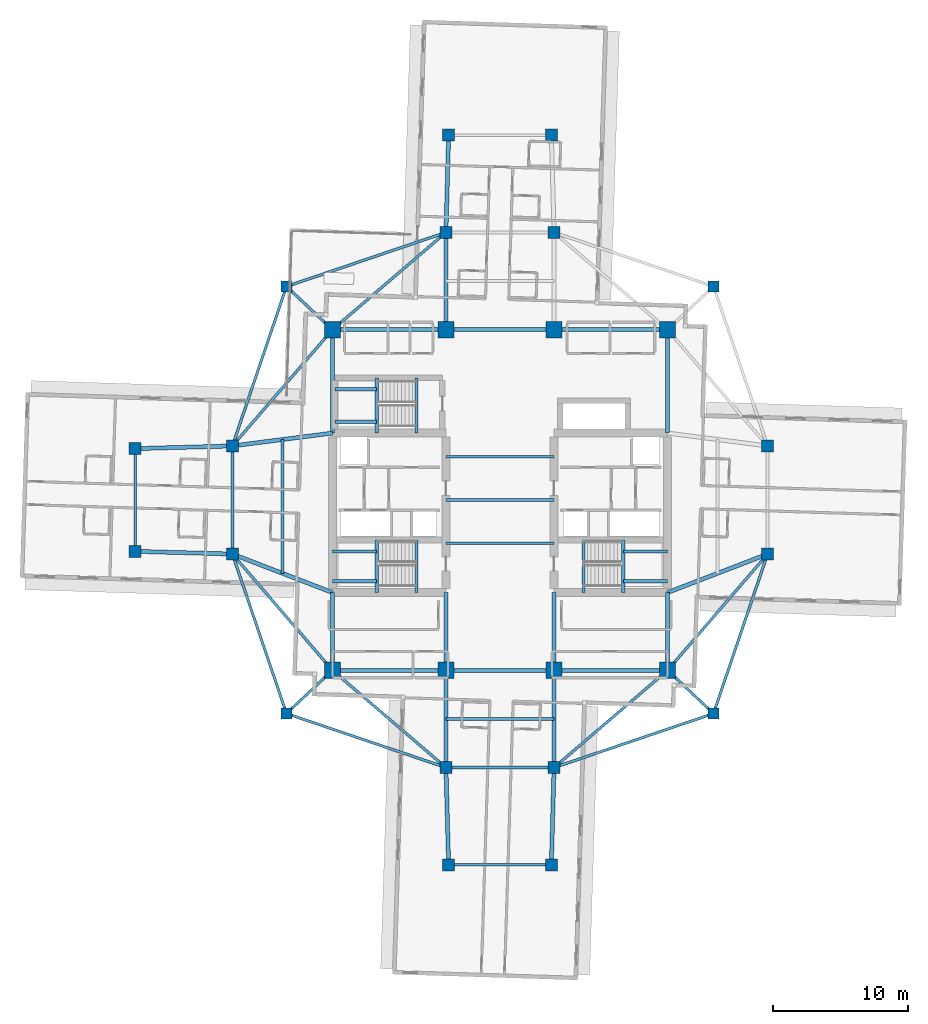
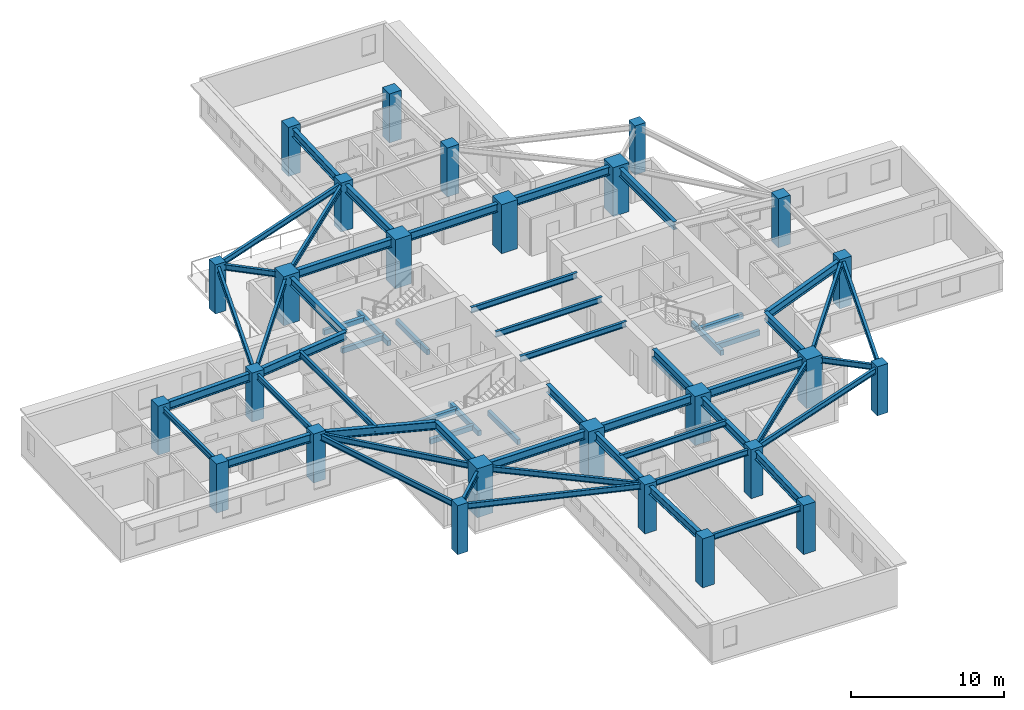
# One storey, part 1 of 13: 59 beams, 26 columns.
"""IFC4 building model written with IfcOpenShell, lengths in metres."""

from ifc_helpers import new_model, si_unit, direction, frame, origin, origin_2d, place, context, subcontext, project, spatial, rectangle, i_section, extrude, material, material_profile, profile_set, type_object, element, save


model = new_model("IFC4")

# Units and contexts
model_context = context("Model", 3, precision=1e-05, world=origin(), true_north=direction((0.0, 1.0)))
body_context = subcontext(model_context, "Body", "Model", "MODEL_VIEW")
ifc_project = project(units=[si_unit("LENGTHUNIT", "METRE"), si_unit("AREAUNIT", "SQUARE_METRE"), si_unit("VOLUMEUNIT", "CUBIC_METRE"), si_unit("PLANEANGLEUNIT", "RADIAN"), si_unit("MASSUNIT", "GRAM", prefix="KILO")], contexts=[model_context])

# Site, building, storey
site_placement = place(None, origin())
site = spatial("IfcSite", under=ifc_project, at=site_placement, CompositionType="ELEMENT")
building_placement = place(site_placement, origin())
building = spatial("IfcBuilding", under=site, at=building_placement, Name="Qingluan Cross Belvedere", CompositionType="ELEMENT")
storey_placement = place(building_placement, frame((0.0, 0.0, 152.699951171875)))
storey = spatial("IfcBuildingStorey", under=building, at=storey_placement, Name="L38", CompositionType="ELEMENT", Elevation=152.699951171875)

# Columns
ifc_material_1 = material(Name="Concrete C60", Category="concrete")
ifc_material_profile_1 = material_profile(ifc_material_1, rectangle(XDim=1.199951171875, YDim=1.199951171875, at=origin_2d()), Name="RC1200x1200")
ifc_profile_set_1 = profile_set([ifc_material_profile_1], Name="Concrete C60")
column_type_1 = type_object("IfcColumnType", Name="Column_RC1200x1200", PredefinedType="COLUMN", material=ifc_profile_set_1)
for number, where, z_axis, x_axis, name in (
    (1, (-12.39990234375, -12.60009765625, 0.0), (0.0, 0.0, 1.0), (1.0, 0.0, 0.0), "Hub column L38-HC1"),
    (2, (12.39990234375, -12.60009765625, 0.0), (0.0, 0.0, 1.0), (1.0, 0.0, 0.0), "Hub column L38-HC2"),
    (3, (12.39990234375, 12.60009765625, 0.0), (0.0, 0.0, 1.0), (1.0, 0.0, 0.0), "Hub column L38-HC3"),
    (4, (-12.39990234375, 12.60009765625, 0.0), (0.0, 0.0, 1.0), (1.0, 0.0, 0.0), "Hub column L38-HC4"),
    (5, (-4.0, -12.60009765625, 0.0), (0.0, 0.0, 1.0), (1.0, 0.0, 0.0), "Hub column L38-HC5"),
    (6, (4.0, -12.60009765625, 0.0), (0.0, 0.0, 1.0), (1.0, 0.0, 0.0), "Hub column L38-HC6"),
    (7, (4.0, 12.60009765625, 0.0), (0.0, 0.0, 1.0), (1.0, 0.0, 0.0), "Hub column L38-HC7"),
    (8, (-4.0, 12.60009765625, 0.0), (0.0, 0.0, 1.0), (1.0, 0.0, 0.0), "Hub column L38-HC8"),
):
    element("IfcColumn", number, at=place(storey_placement, frame(where, z_axis=z_axis, x_axis=x_axis)), inside=storey, type_object=column_type_1, Name=name, PredefinedType="COLUMN", context=body_context, shape_type="SweptSolid", body=[
        extrude(rectangle(XDim=1.199951171875, YDim=1.199951171875, at=origin_2d()), origin(), (0.0, 0.0, 1.0), 3.900146484375),
    ])
ifc_material_2 = material(Name="Concrete C50", Category="concrete")
ifc_material_profile_2 = material_profile(ifc_material_2, rectangle(XDim=0.800048828125, YDim=0.800048828125, at=origin_2d()), Name="RC800x800")
ifc_profile_set_2 = profile_set([ifc_material_profile_2], Name="Concrete C50")
column_type_2 = type_object("IfcColumnType", Name="Column_RC800x800", PredefinedType="COLUMN", material=ifc_profile_set_2)
for number, where, z_axis, x_axis, name in (
    (9, (15.800048828125, 15.800048828125, 0.0), (0.0, 0.0, 1.0), (1.0, 0.0, 0.0), "Corner column L38-RNE"),
    (10, (-15.800048828125, 15.800048828125, 0.0), (0.0, 0.0, 1.0), (1.0, 0.0, 0.0), "Corner column L38-RNW"),
    (11, (-15.800048828125, -15.800048828125, 0.0), (0.0, 0.0, 1.0), (1.0, 0.0, 0.0), "Corner column L38-RSW"),
    (12, (15.800048828125, -15.800048828125, 0.0), (0.0, 0.0, 1.0), (1.0, 0.0, 0.0), "Corner column L38-RSE"),
):
    element("IfcColumn", number, at=place(storey_placement, frame(where, z_axis=z_axis, x_axis=x_axis)), inside=storey, type_object=column_type_2, Name=name, PredefinedType="COLUMN", context=body_context, shape_type="SweptSolid", body=[
        extrude(rectangle(XDim=0.800048828125, YDim=0.800048828125, at=origin_2d()), origin(), (0.0, 0.0, 1.0), 3.900146484375),
    ])
ifc_material_3 = material(Name="Concrete C50", Category="concrete")
ifc_material_profile_3 = material_profile(ifc_material_3, rectangle(XDim=0.89990234375, YDim=0.89990234375, at=origin_2d()), Name="RC900x900")
ifc_profile_set_3 = profile_set([ifc_material_profile_3], Name="Concrete C50")
column_type_3 = type_object("IfcColumnType", Name="Column_RC900x900", PredefinedType="COLUMN", material=ifc_profile_set_3)
for number, where, z_axis, x_axis, name in (
    (13, (19.800048828125, -4.0, 0.0), (0.0, 0.0, 1.0), (1.0, 0.0, 0.0), "Arm column L38-EIA"),
    (14, (19.800048828125, 4.0, 0.0), (0.0, 0.0, 1.0), (1.0, 0.0, 0.0), "Arm column L38-EIB"),
    (15, (-19.800048828125, -4.0, 0.0), (0.0, 0.0, 1.0), (1.0, 0.0, 0.0), "Arm column L38-WIA"),
    (16, (-19.800048828125, 4.0, 0.0), (0.0, 0.0, 1.0), (1.0, 0.0, 0.0), "Arm column L38-WIB"),
    (17, (-4.0, -19.800048828125, 0.0), (0.0, 0.0, 1.0), (1.0, 0.0, 0.0), "Arm column L38-SIA"),
    (18, (4.0, -19.800048828125, 0.0), (0.0, 0.0, 1.0), (1.0, 0.0, 0.0), "Arm column L38-SIB"),
    (19, (-4.0, 19.800048828125, 0.0), (0.0, 0.0, 1.0), (1.0, 0.0, 0.0), "Arm column L38-NIA"),
    (20, (4.0, 19.800048828125, 0.0), (0.0, 0.0, 1.0), (1.0, 0.0, 0.0), "Arm column L38-NIB"),
    (21, (-27.0, -3.800048828125, 0.0), (0.0, 0.0, 1.0), (1.0, 0.0, 0.0), "Arm column L38-WOA"),
    (22, (-27.0, 3.800048828125, 0.0), (0.0, 0.0, 1.0), (1.0, 0.0, 0.0), "Arm column L38-WOB"),
    (23, (-3.800048828125, -27.0, 0.0), (0.0, 0.0, 1.0), (1.0, 0.0, 0.0), "Arm column L38-SOA"),
    (24, (3.800048828125, -27.0, 0.0), (0.0, 0.0, 1.0), (1.0, 0.0, 0.0), "Arm column L38-SOB"),
    (25, (-3.800048828125, 27.0, 0.0), (0.0, 0.0, 1.0), (1.0, 0.0, 0.0), "Arm column L38-NOA"),
    (26, (3.800048828125, 27.0, 0.0), (0.0, 0.0, 1.0), (1.0, 0.0, 0.0), "Arm column L38-NOB"),
):
    element("IfcColumn", number, at=place(storey_placement, frame(where, z_axis=z_axis, x_axis=x_axis)), inside=storey, type_object=column_type_3, Name=name, PredefinedType="COLUMN", context=body_context, shape_type="SweptSolid", body=[
        extrude(rectangle(XDim=0.89990234375, YDim=0.89990234375, at=origin_2d()), origin(), (0.0, 0.0, 1.0), 3.900146484375),
    ])

# Beams
ifc_material_4 = material(Name="Concrete C45", Category="concrete")
ifc_material_profile_4 = material_profile(ifc_material_4, rectangle(XDim=0.25, YDim=0.39990234375, at=origin_2d()), Name="RC250x400")
ifc_profile_set_4 = profile_set([ifc_material_profile_4], Name="Concrete C45")
beam_type_1 = type_object("IfcBeamType", Name="RC_Lintel_RC250x400", PredefinedType="LINTEL", material=ifc_profile_set_4)
for number, where, z_axis, x_axis, name in (
    (27, (-6.179931640625, -6.85009765625, -0.199951171875), (0.0, 1.0, 0.0), (-1.0, 0.0, 0.0), "Stair ST1 landing beam L38"),
    (28, (6.179931640625, -6.85009765625, -0.199951171875), (0.0, 1.0, 0.0), (-1.0, 0.0, 0.0), "Stair ST2 landing beam L38"),
):
    element("IfcBeam", number, at=place(storey_placement, frame(where, z_axis=z_axis, x_axis=x_axis)), inside=storey, type_object=beam_type_1, Name=name, PredefinedType="LINTEL", context=body_context, shape_type="SweptSolid", body=[
        extrude(rectangle(XDim=0.25, YDim=0.39990234375, at=origin_2d()), origin(), (0.0, 0.0, 1.0), 3.89013671875),
    ])
beam_1_placement = place(storey_placement, frame((-6.179931640625, 4.949951171875, -0.199951171875), z_axis=(0.0, 1.0, 0.0), x_axis=(-1.0, 0.0, 0.0)))
element("IfcBeam", 29, at=beam_1_placement, inside=storey, type_object=beam_type_1, Name="Stair ST3 landing beam L38", PredefinedType="LINTEL", context=body_context, shape_type="SweptSolid", body=[
    extrude(rectangle(XDim=0.25, YDim=0.39990234375, at=origin_2d()), origin(), (0.0, 0.0, 1.0), 4.090087890625),
])
beam_2_placement = place(storey_placement, frame((-9.1298828125, -6.85009765625, 1.550048828125), z_axis=(0.0, 1.0, 0.0), x_axis=(-1.0, 0.0, 0.0)))
element("IfcBeam", 30, at=beam_2_placement, inside=storey, type_object=beam_type_1, Name="Stair ST1 beam A L38", PredefinedType="LINTEL", context=body_context, shape_type="SweptSolid", body=[
    extrude(rectangle(XDim=0.25, YDim=0.39990234375, at=origin_2d()), origin(), (0.0, 0.0, 1.0), 3.89013671875),
])
for number, where, z_axis, x_axis, name in (
    (31, (-12.39990234375, -6.0, 1.550048828125), (1.0, 0.0, 0.0), (0.0, 1.0, 0.0), "Stair ST1 beam B L38"),
    (32, (-12.39990234375, -3.81005859375, 1.550048828125), (1.0, 0.0, 0.0), (0.0, 1.0, 0.0), "Stair ST1 beam C L38"),
):
    element("IfcBeam", number, at=place(storey_placement, frame(where, z_axis=z_axis, x_axis=x_axis)), inside=storey, type_object=beam_type_1, Name=name, PredefinedType="LINTEL", context=body_context, shape_type="SweptSolid", body=[
        extrude(rectangle(XDim=0.25, YDim=0.39990234375, at=origin_2d()), origin(), (0.0, 0.0, 1.0), 3.27001953125),
    ])
beam_3_placement = place(storey_placement, frame((9.1298828125, -6.85009765625, 1.550048828125), z_axis=(0.0, 1.0, 0.0), x_axis=(-1.0, 0.0, 0.0)))
element("IfcBeam", 33, at=beam_3_placement, inside=storey, type_object=beam_type_1, Name="Stair ST2 beam A L38", PredefinedType="LINTEL", context=body_context, shape_type="SweptSolid", body=[
    extrude(rectangle(XDim=0.25, YDim=0.39990234375, at=origin_2d()), origin(), (0.0, 0.0, 1.0), 3.89013671875),
])
for number, where, z_axis, x_axis, name in (
    (34, (12.39990234375, -6.0, 1.550048828125), (-1.0, 0.0, 0.0), (0.0, -1.0, 0.0), "Stair ST2 beam B L38"),
    (35, (12.39990234375, -3.81005859375, 1.550048828125), (-1.0, 0.0, 0.0), (0.0, -1.0, 0.0), "Stair ST2 beam C L38"),
):
    element("IfcBeam", number, at=place(storey_placement, frame(where, z_axis=z_axis, x_axis=x_axis)), inside=storey, type_object=beam_type_1, Name=name, PredefinedType="LINTEL", context=body_context, shape_type="SweptSolid", body=[
        extrude(rectangle(XDim=0.25, YDim=0.39990234375, at=origin_2d()), origin(), (0.0, 0.0, 1.0), 3.27001953125),
    ])
beam_4_placement = place(storey_placement, frame((-9.1298828125, 4.949951171875, 1.550048828125), z_axis=(0.0, 1.0, 0.0), x_axis=(-1.0, 0.0, 0.0)))
element("IfcBeam", 36, at=beam_4_placement, inside=storey, type_object=beam_type_1, Name="Stair ST3 beam A L38", PredefinedType="LINTEL", context=body_context, shape_type="SweptSolid", body=[
    extrude(rectangle(XDim=0.25, YDim=0.39990234375, at=origin_2d()), origin(), (0.0, 0.0, 1.0), 4.090087890625),
])
for number, where, z_axis, x_axis, name in (
    (37, (-12.219970703125, 5.800048828125, 1.550048828125), (1.0, 0.0, 0.0), (0.0, 1.0, 0.0), "Stair ST3 beam B L38"),
    (38, (-12.219970703125, 8.18994140625, 1.550048828125), (1.0, 0.0, 0.0), (0.0, 1.0, 0.0), "Stair ST3 beam C L38"),
):
    element("IfcBeam", number, at=place(storey_placement, frame(where, z_axis=z_axis, x_axis=x_axis)), inside=storey, type_object=beam_type_1, Name=name, PredefinedType="LINTEL", context=body_context, shape_type="SweptSolid", body=[
        extrude(rectangle(XDim=0.25, YDim=0.39990234375, at=origin_2d()), origin(), (0.0, 0.0, 1.0), 3.090087890625),
    ])
ifc_material_5 = material(Name="Steel Q420GJB", Category="steel")
ifc_material_profile_5 = material_profile(ifc_material_5, i_section(OverallWidth=0.199951171875, OverallDepth=0.449951171875, WebThickness=0.009033203125, FlangeThickness=0.013916015625, FilletRadius=0.01611328125, at=origin_2d()), Name="HN450x200x9x14")
ifc_profile_set_5 = profile_set([ifc_material_profile_5], Name="Steel Q420GJB")
beam_type_2 = type_object("IfcBeamType", Name="Steel_Beam_HN450x200x9x14", PredefinedType="JOIST", material=ifc_profile_set_5)
beam_5_placement = place(storey_placement, frame((-12.39990234375, 12.60009765625, 3.47509765625), z_axis=(-0.728219948308, 0.685343495546, 0.0), x_axis=(-0.685343495546, -0.728219948308, 0.0)))
element("IfcBeam", 39, at=beam_5_placement, inside=storey, type_object=beam_type_2, Name="Corner beam 1 L38-RNW", PredefinedType="JOIST", context=body_context, shape_type="SweptSolid", body=[
    extrude(i_section(OverallWidth=0.199951171875, OverallDepth=0.449951171875, WebThickness=0.009033203125, FlangeThickness=0.013916015625, FilletRadius=0.01611328125, at=origin_2d()), origin(), (0.0, 0.0, 1.0), 4.669189453125),
])
for number, where, z_axis, x_axis, name in (
    (40, (-15.800048828125, 15.800048828125, 3.47509765625), (0.947066283324, 0.321038089628, 0.0), (-0.321038089628, 0.947066283324, 0.0), "Corner beam 2 L38-RNW"),
    (41, (-15.800048828125, 15.800048828125, 3.47509765625), (-0.321038089628, -0.947066283324, 0.0), (0.947066283324, -0.321038089628, 0.0), "Corner beam 3 L38-RNW"),
):
    element("IfcBeam", number, at=place(storey_placement, frame(where, z_axis=z_axis, x_axis=x_axis)), inside=storey, type_object=beam_type_2, Name=name, PredefinedType="JOIST", context=body_context, shape_type="SweptSolid", body=[
        extrude(i_section(OverallWidth=0.199951171875, OverallDepth=0.449951171875, WebThickness=0.009033203125, FlangeThickness=0.013916015625, FilletRadius=0.01611328125, at=origin_2d()), origin(), (0.0, 0.0, 1.0), 12.45947265625),
    ])
beam_6_placement = place(storey_placement, frame((-12.39990234375, 12.60009765625, 3.47509765625), z_axis=(-0.652245077546, -0.75800815221, 0.0), x_axis=(0.75800815221, -0.652245077546, 0.0)))
element("IfcBeam", 42, at=beam_6_placement, inside=storey, type_object=beam_type_2, Name="Corner beam 4 L38-RNW", PredefinedType="JOIST", context=body_context, shape_type="SweptSolid", body=[
    extrude(i_section(OverallWidth=0.199951171875, OverallDepth=0.449951171875, WebThickness=0.009033203125, FlangeThickness=0.013916015625, FilletRadius=0.01611328125, at=origin_2d()), origin(), (0.0, 0.0, 1.0), 11.345703125),
])
beam_7_placement = place(storey_placement, frame((-12.39990234375, 12.60009765625, 3.47509765625), z_axis=(0.759255044656, 0.650793190779, 0.0), x_axis=(-0.650793190779, 0.759255044656, 0.0)))
element("IfcBeam", 43, at=beam_7_placement, inside=storey, type_object=beam_type_2, Name="Corner beam 5 L38-RNW", PredefinedType="JOIST", context=body_context, shape_type="SweptSolid", body=[
    extrude(i_section(OverallWidth=0.199951171875, OverallDepth=0.449951171875, WebThickness=0.009033203125, FlangeThickness=0.013916015625, FilletRadius=0.01611328125, at=origin_2d()), origin(), (0.0, 0.0, 1.0), 11.063232421875),
])
beam_8_placement = place(storey_placement, frame((-12.39990234375, -12.60009765625, 3.455078125), z_axis=(-0.728219948308, -0.685343495546, 0.0), x_axis=(0.685343495546, -0.728219948308, 0.0)))
element("IfcBeam", 44, at=beam_8_placement, inside=storey, type_object=beam_type_2, Name="Corner beam 1 L38-RSW", PredefinedType="JOIST", context=body_context, shape_type="SweptSolid", body=[
    extrude(i_section(OverallWidth=0.199951171875, OverallDepth=0.449951171875, WebThickness=0.009033203125, FlangeThickness=0.013916015625, FilletRadius=0.01611328125, at=origin_2d()), origin(), (0.0, 0.0, 1.0), 4.669189453125),
])
for number, where, z_axis, x_axis, name in (
    (45, (-15.800048828125, -15.800048828125, 3.47509765625), (0.947066283324, -0.321038089628, 0.0), (0.321038089628, 0.947066283324, 0.0), "Corner beam 2 L38-RSW"),
    (46, (-15.800048828125, -15.800048828125, 3.455078125), (-0.321038089628, 0.947066283324, 0.0), (-0.947066283324, -0.321038089628, 0.0), "Corner beam 3 L38-RSW"),
):
    element("IfcBeam", number, at=place(storey_placement, frame(where, z_axis=z_axis, x_axis=x_axis)), inside=storey, type_object=beam_type_2, Name=name, PredefinedType="JOIST", context=body_context, shape_type="SweptSolid", body=[
        extrude(i_section(OverallWidth=0.199951171875, OverallDepth=0.449951171875, WebThickness=0.009033203125, FlangeThickness=0.013916015625, FilletRadius=0.01611328125, at=origin_2d()), origin(), (0.0, 0.0, 1.0), 12.45947265625),
    ])
beam_9_placement = place(storey_placement, frame((-12.39990234375, -12.60009765625, 3.455078125), z_axis=(-0.652245077546, 0.75800815221, 0.0), x_axis=(-0.75800815221, -0.652245077546, 0.0)))
element("IfcBeam", 47, at=beam_9_placement, inside=storey, type_object=beam_type_2, Name="Corner beam 4 L38-RSW", PredefinedType="JOIST", context=body_context, shape_type="SweptSolid", body=[
    extrude(i_section(OverallWidth=0.199951171875, OverallDepth=0.449951171875, WebThickness=0.009033203125, FlangeThickness=0.013916015625, FilletRadius=0.01611328125, at=origin_2d()), origin(), (0.0, 0.0, 1.0), 11.345703125),
])
beam_10_placement = place(storey_placement, frame((-12.39990234375, -12.60009765625, 3.455078125), z_axis=(0.759255044656, -0.650793190779, 0.0), x_axis=(0.650793190779, 0.759255044656, 0.0)))
element("IfcBeam", 48, at=beam_10_placement, inside=storey, type_object=beam_type_2, Name="Corner beam 5 L38-RSW", PredefinedType="JOIST", context=body_context, shape_type="SweptSolid", body=[
    extrude(i_section(OverallWidth=0.199951171875, OverallDepth=0.449951171875, WebThickness=0.009033203125, FlangeThickness=0.013916015625, FilletRadius=0.01611328125, at=origin_2d()), origin(), (0.0, 0.0, 1.0), 11.063232421875),
])
beam_11_placement = place(storey_placement, frame((12.39990234375, -12.60009765625, 3.47509765625), z_axis=(0.728219948308, -0.685343495546, 0.0), x_axis=(0.685343495546, 0.728219948308, 0.0)))
element("IfcBeam", 49, at=beam_11_placement, inside=storey, type_object=beam_type_2, Name="Corner beam 1 L38-RSE", PredefinedType="JOIST", context=body_context, shape_type="SweptSolid", body=[
    extrude(i_section(OverallWidth=0.199951171875, OverallDepth=0.449951171875, WebThickness=0.009033203125, FlangeThickness=0.013916015625, FilletRadius=0.01611328125, at=origin_2d()), origin(), (0.0, 0.0, 1.0), 4.669189453125),
])
for number, where, z_axis, x_axis, name in (
    (50, (15.800048828125, -15.800048828125, 3.47509765625), (-0.947066283324, -0.321038089628, 0.0), (0.321038089628, -0.947066283324, 0.0), "Corner beam 2 L38-RSE"),
    (51, (15.800048828125, -15.800048828125, 3.47509765625), (0.321038089628, 0.947066283324, 0.0), (-0.947066283324, 0.321038089628, 0.0), "Corner beam 3 L38-RSE"),
):
    element("IfcBeam", number, at=place(storey_placement, frame(where, z_axis=z_axis, x_axis=x_axis)), inside=storey, type_object=beam_type_2, Name=name, PredefinedType="JOIST", context=body_context, shape_type="SweptSolid", body=[
        extrude(i_section(OverallWidth=0.199951171875, OverallDepth=0.449951171875, WebThickness=0.009033203125, FlangeThickness=0.013916015625, FilletRadius=0.01611328125, at=origin_2d()), origin(), (0.0, 0.0, 1.0), 12.45947265625),
    ])
beam_12_placement = place(storey_placement, frame((12.39990234375, -12.60009765625, 3.47509765625), z_axis=(0.652245077546, 0.75800815221, 0.0), x_axis=(-0.75800815221, 0.652245077546, 0.0)))
element("IfcBeam", 52, at=beam_12_placement, inside=storey, type_object=beam_type_2, Name="Corner beam 4 L38-RSE", PredefinedType="JOIST", context=body_context, shape_type="SweptSolid", body=[
    extrude(i_section(OverallWidth=0.199951171875, OverallDepth=0.449951171875, WebThickness=0.009033203125, FlangeThickness=0.013916015625, FilletRadius=0.01611328125, at=origin_2d()), origin(), (0.0, 0.0, 1.0), 11.345703125),
])
beam_13_placement = place(storey_placement, frame((12.39990234375, -12.60009765625, 3.47509765625), z_axis=(-0.759255044656, -0.650793190779, 0.0), x_axis=(0.650793190779, -0.759255044656, 0.0)))
element("IfcBeam", 53, at=beam_13_placement, inside=storey, type_object=beam_type_2, Name="Corner beam 5 L38-RSE", PredefinedType="JOIST", context=body_context, shape_type="SweptSolid", body=[
    extrude(i_section(OverallWidth=0.199951171875, OverallDepth=0.449951171875, WebThickness=0.009033203125, FlangeThickness=0.013916015625, FilletRadius=0.01611328125, at=origin_2d()), origin(), (0.0, 0.0, 1.0), 11.063232421875),
])
for number, where, z_axis, x_axis, name in (
    (54, (-4.0, -3.199951171875, 3.47509765625), (1.0, 0.0, 0.0), (0.0, 1.0, 0.0), "Hall beam L38-CH1"),
    (55, (-4.0, 0.0, 3.47509765625), (1.0, 0.0, 0.0), (0.0, 1.0, 0.0), "Hall beam L38-CH2"),
    (56, (-4.0, 3.199951171875, 3.47509765625), (1.0, 0.0, 0.0), (0.0, 1.0, 0.0), "Hall beam L38-CH3"),
    (57, (-19.800048828125, -4.0, 3.47509765625), (0.0, 1.0, 0.0), (-1.0, 0.0, 0.0), "Arm W tie L38"),
):
    element("IfcBeam", number, at=place(storey_placement, frame(where, z_axis=z_axis, x_axis=x_axis)), inside=storey, type_object=beam_type_2, Name=name, PredefinedType="JOIST", context=body_context, shape_type="SweptSolid", body=[
        extrude(i_section(OverallWidth=0.199951171875, OverallDepth=0.449951171875, WebThickness=0.009033203125, FlangeThickness=0.013916015625, FilletRadius=0.01611328125, at=origin_2d()), origin(), (0.0, 0.0, 1.0), 8.0),
    ])
beam_14_placement = place(storey_placement, frame((-16.10009765625, -5.425048828125, 3.47509765625), z_axis=(0.0, 1.0, 0.0), x_axis=(-1.0, 0.0, 0.0)))
element("IfcBeam", 58, at=beam_14_placement, inside=storey, type_object=beam_type_2, Name="Arm W beam L38", PredefinedType="JOIST", context=body_context, shape_type="SweptSolid", body=[
    extrude(i_section(OverallWidth=0.199951171875, OverallDepth=0.449951171875, WebThickness=0.009033203125, FlangeThickness=0.013916015625, FilletRadius=0.01611328125, at=origin_2d()), origin(), (0.0, 0.0, 1.0), 9.900146484375),
])
beam_15_placement = place(storey_placement, frame((-27.0, -3.800048828125, 3.47509765625), z_axis=(0.0, 1.0, 0.0), x_axis=(-1.0, 0.0, 0.0)))
element("IfcBeam", 59, at=beam_15_placement, inside=storey, type_object=beam_type_2, Name="Arm W tip transverse beam L38", PredefinedType="JOIST", context=body_context, shape_type="SweptSolid", body=[
    extrude(i_section(OverallWidth=0.199951171875, OverallDepth=0.449951171875, WebThickness=0.009033203125, FlangeThickness=0.013916015625, FilletRadius=0.01611328125, at=origin_2d()), origin(), (0.0, 0.0, 1.0), 7.60009765625),
])
for number, where, z_axis, x_axis, name in (
    (60, (-4.0, -19.800048828125, 3.47509765625), (1.0, 0.0, 0.0), (0.0, 1.0, 0.0), "Arm S tie L38"),
    (61, (-4.0, -16.199951171875, 3.47509765625), (1.0, 0.0, 0.0), (0.0, 1.0, 0.0), "Arm S beam L38"),
):
    element("IfcBeam", number, at=place(storey_placement, frame(where, z_axis=z_axis, x_axis=x_axis)), inside=storey, type_object=beam_type_2, Name=name, PredefinedType="JOIST", context=body_context, shape_type="SweptSolid", body=[
        extrude(i_section(OverallWidth=0.199951171875, OverallDepth=0.449951171875, WebThickness=0.009033203125, FlangeThickness=0.013916015625, FilletRadius=0.01611328125, at=origin_2d()), origin(), (0.0, 0.0, 1.0), 8.0),
    ])
beam_16_placement = place(storey_placement, frame((-3.800048828125, -27.0, 3.47509765625), z_axis=(1.0, 0.0, 0.0), x_axis=(0.0, 1.0, 0.0)))
element("IfcBeam", 62, at=beam_16_placement, inside=storey, type_object=beam_type_2, Name="Arm S tip transverse beam L38", PredefinedType="JOIST", context=body_context, shape_type="SweptSolid", body=[
    extrude(i_section(OverallWidth=0.199951171875, OverallDepth=0.449951171875, WebThickness=0.009033203125, FlangeThickness=0.013916015625, FilletRadius=0.01611328125, at=origin_2d()), origin(), (0.0, 0.0, 1.0), 7.60009765625),
])
ifc_material_6 = material(Name="Steel Q420GJB", Category="steel")
ifc_material_profile_6 = material_profile(ifc_material_6, i_section(OverallWidth=0.300048828125, OverallDepth=0.64990234375, WebThickness=0.014404296875, FlangeThickness=0.02587890625, FilletRadius=0.027099609375, at=origin_2d()), Name="HEB650")
ifc_profile_set_6 = profile_set([ifc_material_profile_6], Name="Steel Q420GJB")
beam_type_3 = type_object("IfcBeamType", Name="Steel_Girder_HEB650", PredefinedType="USERDEFINED", material=ifc_profile_set_6)
beam_17_placement = place(storey_placement, frame((-12.39990234375, -12.60009765625, 3.375), z_axis=(1.0, 0.0, 0.0), x_axis=(0.0, 1.0, 0.0)))
element("IfcBeam", 63, at=beam_17_placement, inside=storey, type_object=beam_type_3, Name="Hub girder L38-HG-S1", ObjectType="GIRDER", PredefinedType="USERDEFINED", context=body_context, shape_type="SweptSolid", body=[
    extrude(i_section(OverallWidth=0.300048828125, OverallDepth=0.64990234375, WebThickness=0.014404296875, FlangeThickness=0.02587890625, FilletRadius=0.027099609375, at=origin_2d()), origin(), (0.0, 0.0, 1.0), 8.39990234375),
])
beam_18_placement = place(storey_placement, frame((-4.0, -12.60009765625, 3.375), z_axis=(1.0, 0.0, 0.0), x_axis=(0.0, 1.0, 0.0)))
element("IfcBeam", 64, at=beam_18_placement, inside=storey, type_object=beam_type_3, Name="Hub girder L38-HG-S2", ObjectType="GIRDER", PredefinedType="USERDEFINED", context=body_context, shape_type="SweptSolid", body=[
    extrude(i_section(OverallWidth=0.300048828125, OverallDepth=0.64990234375, WebThickness=0.014404296875, FlangeThickness=0.02587890625, FilletRadius=0.027099609375, at=origin_2d()), origin(), (0.0, 0.0, 1.0), 8.0),
])
for number, where, z_axis, x_axis, name in (
    (65, (4.0, -12.60009765625, 3.375), (1.0, 0.0, 0.0), (0.0, 1.0, 0.0), "Hub girder L38-HG-S3"),
    (66, (-12.39990234375, 12.60009765625, 3.375), (1.0, 0.0, 0.0), (0.0, 1.0, 0.0), "Hub girder L38-HG-N1"),
):
    element("IfcBeam", number, at=place(storey_placement, frame(where, z_axis=z_axis, x_axis=x_axis)), inside=storey, type_object=beam_type_3, Name=name, ObjectType="GIRDER", PredefinedType="USERDEFINED", context=body_context, shape_type="SweptSolid", body=[
        extrude(i_section(OverallWidth=0.300048828125, OverallDepth=0.64990234375, WebThickness=0.014404296875, FlangeThickness=0.02587890625, FilletRadius=0.027099609375, at=origin_2d()), origin(), (0.0, 0.0, 1.0), 8.39990234375),
    ])
beam_19_placement = place(storey_placement, frame((-4.0, 12.60009765625, 3.375), z_axis=(1.0, 0.0, 0.0), x_axis=(0.0, 1.0, 0.0)))
element("IfcBeam", 67, at=beam_19_placement, inside=storey, type_object=beam_type_3, Name="Hub girder L38-HG-N2", ObjectType="GIRDER", PredefinedType="USERDEFINED", context=body_context, shape_type="SweptSolid", body=[
    extrude(i_section(OverallWidth=0.300048828125, OverallDepth=0.64990234375, WebThickness=0.014404296875, FlangeThickness=0.02587890625, FilletRadius=0.027099609375, at=origin_2d()), origin(), (0.0, 0.0, 1.0), 8.0),
])
beam_20_placement = place(storey_placement, frame((4.0, 12.60009765625, 3.375), z_axis=(1.0, 0.0, 0.0), x_axis=(0.0, 1.0, 0.0)))
element("IfcBeam", 68, at=beam_20_placement, inside=storey, type_object=beam_type_3, Name="Hub girder L38-HG-N3", ObjectType="GIRDER", PredefinedType="USERDEFINED", context=body_context, shape_type="SweptSolid", body=[
    extrude(i_section(OverallWidth=0.300048828125, OverallDepth=0.64990234375, WebThickness=0.014404296875, FlangeThickness=0.02587890625, FilletRadius=0.027099609375, at=origin_2d()), origin(), (0.0, 0.0, 1.0), 8.39990234375),
])
beam_21_placement = place(storey_placement, frame((-12.39990234375, -12.60009765625, 3.375), z_axis=(0.0, 1.0, 0.0), x_axis=(-1.0, 0.0, 0.0)))
element("IfcBeam", 69, at=beam_21_placement, inside=storey, type_object=beam_type_3, Name="Hub girder L38-HG-W1", ObjectType="GIRDER", PredefinedType="USERDEFINED", context=body_context, shape_type="SweptSolid", body=[
    extrude(i_section(OverallWidth=0.300048828125, OverallDepth=0.64990234375, WebThickness=0.014404296875, FlangeThickness=0.02587890625, FilletRadius=0.027099609375, at=origin_2d()), origin(), (0.0, 0.0, 1.0), 5.75),
])
beam_22_placement = place(storey_placement, frame((-12.39990234375, 4.949951171875, 3.375), z_axis=(0.0, 1.0, 0.0), x_axis=(-1.0, 0.0, 0.0)))
element("IfcBeam", 70, at=beam_22_placement, inside=storey, type_object=beam_type_3, Name="Hub girder L38-HG-W2", ObjectType="GIRDER", PredefinedType="USERDEFINED", context=body_context, shape_type="SweptSolid", body=[
    extrude(i_section(OverallWidth=0.300048828125, OverallDepth=0.64990234375, WebThickness=0.014404296875, FlangeThickness=0.02587890625, FilletRadius=0.027099609375, at=origin_2d()), origin(), (0.0, 0.0, 1.0), 7.650146484375),
])
beam_23_placement = place(storey_placement, frame((12.39990234375, -12.60009765625, 3.375), z_axis=(0.0, 1.0, 0.0), x_axis=(-1.0, 0.0, 0.0)))
element("IfcBeam", 71, at=beam_23_placement, inside=storey, type_object=beam_type_3, Name="Hub girder L38-HG-E1", ObjectType="GIRDER", PredefinedType="USERDEFINED", context=body_context, shape_type="SweptSolid", body=[
    extrude(i_section(OverallWidth=0.300048828125, OverallDepth=0.64990234375, WebThickness=0.014404296875, FlangeThickness=0.02587890625, FilletRadius=0.027099609375, at=origin_2d()), origin(), (0.0, 0.0, 1.0), 5.75),
])
beam_24_placement = place(storey_placement, frame((12.39990234375, 4.949951171875, 3.375), z_axis=(0.0, 1.0, 0.0), x_axis=(-1.0, 0.0, 0.0)))
element("IfcBeam", 72, at=beam_24_placement, inside=storey, type_object=beam_type_3, Name="Hub girder L38-HG-E2", ObjectType="GIRDER", PredefinedType="USERDEFINED", context=body_context, shape_type="SweptSolid", body=[
    extrude(i_section(OverallWidth=0.300048828125, OverallDepth=0.64990234375, WebThickness=0.014404296875, FlangeThickness=0.02587890625, FilletRadius=0.027099609375, at=origin_2d()), origin(), (0.0, 0.0, 1.0), 7.650146484375),
])
for number, where, z_axis, x_axis, name in (
    (73, (-4.0, -12.60009765625, 3.375), (0.0, 1.0, 0.0), (-1.0, 0.0, 0.0), "Hub girder L38-HG-CW"),
    (74, (4.0, -12.60009765625, 3.375), (0.0, 1.0, 0.0), (-1.0, 0.0, 0.0), "Hub girder L38-HG-CE"),
):
    element("IfcBeam", number, at=place(storey_placement, frame(where, z_axis=z_axis, x_axis=x_axis)), inside=storey, type_object=beam_type_3, Name=name, ObjectType="GIRDER", PredefinedType="USERDEFINED", context=body_context, shape_type="SweptSolid", body=[
        extrude(i_section(OverallWidth=0.300048828125, OverallDepth=0.64990234375, WebThickness=0.014404296875, FlangeThickness=0.02587890625, FilletRadius=0.027099609375, at=origin_2d()), origin(), (0.0, 0.0, 1.0), 5.75),
    ])
for number, where, z_axis, x_axis, name in (
    (75, (12.39990234375, -6.85009765625, 3.375), (0.933181258889, 0.359406090735, 0.0), (-0.359406090735, 0.933181258889, 0.0), "Arm E radial girder A L38"),
    (76, (-12.39990234375, -6.85009765625, 3.375), (-0.933181258889, 0.359406090735, 0.0), (-0.359406090735, -0.933181258889, 0.0), "Arm W radial girder A L38"),
):
    element("IfcBeam", number, at=place(storey_placement, frame(where, z_axis=z_axis, x_axis=x_axis)), inside=storey, type_object=beam_type_3, Name=name, ObjectType="GIRDER", PredefinedType="USERDEFINED", context=body_context, shape_type="SweptSolid", body=[
        extrude(i_section(OverallWidth=0.300048828125, OverallDepth=0.64990234375, WebThickness=0.014404296875, FlangeThickness=0.02587890625, FilletRadius=0.027099609375, at=origin_2d()), origin(), (0.0, 0.0, 1.0), 7.929931640625),
    ])
beam_25_placement = place(storey_placement, frame((-12.39990234375, 4.949951171875, 3.375), z_axis=(-0.991861120628, -0.12732445714, 0.0), x_axis=(0.12732445714, -0.991861120628, 0.0)))
element("IfcBeam", 77, at=beam_25_placement, inside=storey, type_object=beam_type_3, Name="Arm W radial girder B L38", ObjectType="GIRDER", PredefinedType="USERDEFINED", context=body_context, shape_type="SweptSolid", body=[
    extrude(i_section(OverallWidth=0.300048828125, OverallDepth=0.64990234375, WebThickness=0.014404296875, FlangeThickness=0.02587890625, FilletRadius=0.027099609375, at=origin_2d()), origin(), (0.0, 0.0, 1.0), 7.4609375),
])
for number, where, z_axis, x_axis, name in (
    (78, (-19.800048828125, -4.0, 3.375), (-0.999614603568, 0.027760481514, 0.0), (-0.027760481514, -0.999614603568, 0.0), "Arm W outer radial girder A L38"),
    (79, (-19.800048828125, 4.0, 3.375), (-0.999614603568, -0.027760481514, 0.0), (0.027760481514, -0.999614603568, 0.0), "Arm W outer radial girder B L38"),
):
    element("IfcBeam", number, at=place(storey_placement, frame(where, z_axis=z_axis, x_axis=x_axis)), inside=storey, type_object=beam_type_3, Name=name, ObjectType="GIRDER", PredefinedType="USERDEFINED", context=body_context, shape_type="SweptSolid", body=[
        extrude(i_section(OverallWidth=0.300048828125, OverallDepth=0.64990234375, WebThickness=0.014404296875, FlangeThickness=0.02587890625, FilletRadius=0.027099609375, at=origin_2d()), origin(), (0.0, 0.0, 1.0), 7.20263671875),
    ])
beam_26_placement = place(storey_placement, frame((-4.0, 12.60009765625, 3.375), z_axis=(0.0, 1.0, 0.0), x_axis=(-1.0, 0.0, 0.0)))
element("IfcBeam", 80, at=beam_26_placement, inside=storey, type_object=beam_type_3, Name="Arm N radial girder A L38", ObjectType="GIRDER", PredefinedType="USERDEFINED", context=body_context, shape_type="SweptSolid", body=[
    extrude(i_section(OverallWidth=0.300048828125, OverallDepth=0.64990234375, WebThickness=0.014404296875, FlangeThickness=0.02587890625, FilletRadius=0.027099609375, at=origin_2d()), origin(), (0.0, 0.0, 1.0), 7.199951171875),
])
beam_27_placement = place(storey_placement, frame((-4.0, 19.800048828125, 3.375), z_axis=(0.027760481514, 0.999614603568, 0.0), x_axis=(-0.999614603568, 0.027760481514, 0.0)))
element("IfcBeam", 81, at=beam_27_placement, inside=storey, type_object=beam_type_3, Name="Arm N outer radial girder A L38", ObjectType="GIRDER", PredefinedType="USERDEFINED", context=body_context, shape_type="SweptSolid", body=[
    extrude(i_section(OverallWidth=0.300048828125, OverallDepth=0.64990234375, WebThickness=0.014404296875, FlangeThickness=0.02587890625, FilletRadius=0.027099609375, at=origin_2d()), origin(), (0.0, 0.0, 1.0), 7.20263671875),
])
for number, where, z_axis, x_axis, name in (
    (82, (-4.0, -12.60009765625, 3.375), (0.0, -1.0, 0.0), (1.0, 0.0, 0.0), "Arm S radial girder A L38"),
    (83, (4.0, -12.60009765625, 3.375), (0.0, -1.0, 0.0), (1.0, 0.0, 0.0), "Arm S radial girder B L38"),
):
    element("IfcBeam", number, at=place(storey_placement, frame(where, z_axis=z_axis, x_axis=x_axis)), inside=storey, type_object=beam_type_3, Name=name, ObjectType="GIRDER", PredefinedType="USERDEFINED", context=body_context, shape_type="SweptSolid", body=[
        extrude(i_section(OverallWidth=0.300048828125, OverallDepth=0.64990234375, WebThickness=0.014404296875, FlangeThickness=0.02587890625, FilletRadius=0.027099609375, at=origin_2d()), origin(), (0.0, 0.0, 1.0), 7.199951171875),
    ])
for number, where, z_axis, x_axis, name in (
    (84, (-4.0, -19.800048828125, 3.375), (0.027760481514, -0.999614603568, 0.0), (0.999614603568, 0.027760481514, 0.0), "Arm S outer radial girder A L38"),
    (85, (4.0, -19.800048828125, 3.375), (-0.027760481514, -0.999614603568, 0.0), (0.999614603568, -0.027760481514, 0.0), "Arm S outer radial girder B L38"),
):
    element("IfcBeam", number, at=place(storey_placement, frame(where, z_axis=z_axis, x_axis=x_axis)), inside=storey, type_object=beam_type_3, Name=name, ObjectType="GIRDER", PredefinedType="USERDEFINED", context=body_context, shape_type="SweptSolid", body=[
        extrude(i_section(OverallWidth=0.300048828125, OverallDepth=0.64990234375, WebThickness=0.014404296875, FlangeThickness=0.02587890625, FilletRadius=0.027099609375, at=origin_2d()), origin(), (0.0, 0.0, 1.0), 7.20263671875),
    ])

save(model, "model.ifc")
